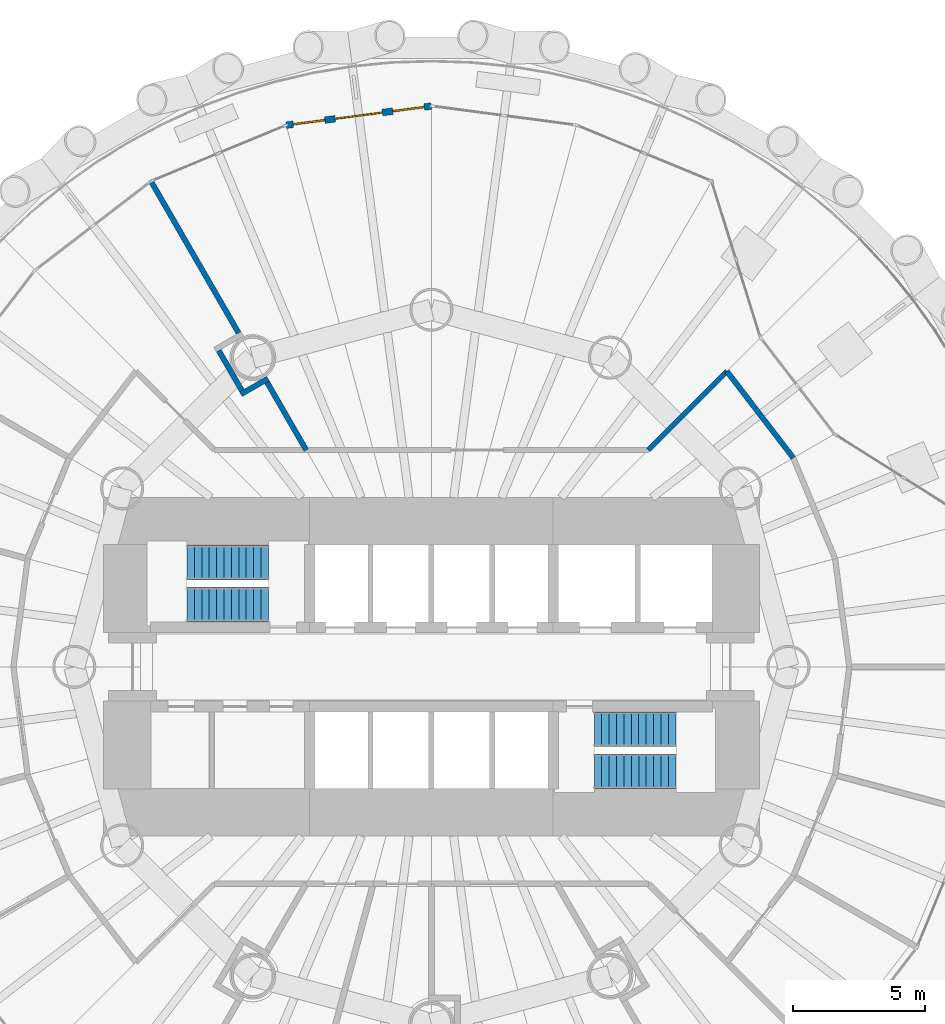
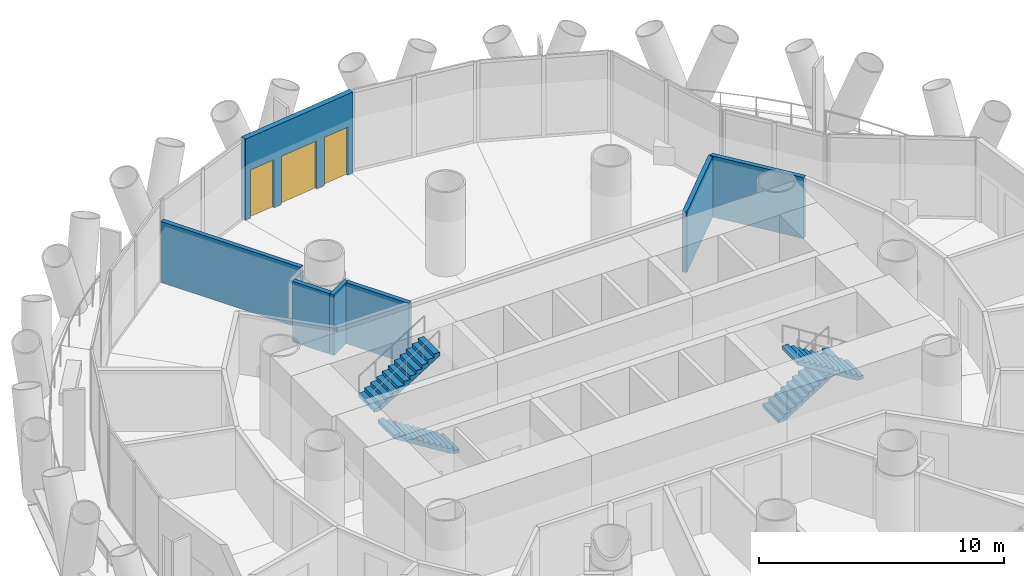
# One storey, part 11 of 15: 7 walls, 4 stair flights, 2 windows, 1 door, 3 openings, 2 elements without a shape of their own.
"""IFC4 building model written with IfcOpenShell, lengths in metres."""

from ifc_helpers import new_model, si_unit, direction, frame, frame_2d, origin, place, context, subcontext, project, spatial, polyline, rectangle, outline, extrude, material, layer, layer_set, type_object, element, fill, aggregate, save


model = new_model("IFC4")

# Units and contexts
model_context = context("Model", 3, precision=1e-05, world=origin(), true_north=direction((0.0, 1.0)))
body_context = subcontext(model_context, "Body", "Model", "MODEL_VIEW")
ifc_project = project(units=[si_unit("LENGTHUNIT", "METRE"), si_unit("AREAUNIT", "SQUARE_METRE"), si_unit("VOLUMEUNIT", "CUBIC_METRE"), si_unit("PLANEANGLEUNIT", "RADIAN"), si_unit("MASSUNIT", "GRAM", prefix="KILO")], contexts=[model_context])

# Site, building, storey
site_placement = place(None, origin())
site = spatial("IfcSite", under=ifc_project, at=site_placement, CompositionType="ELEMENT")
building_placement = place(site_placement, origin())
building = spatial("IfcBuilding", under=site, at=building_placement, Name="Qaws Media Tower", CompositionType="ELEMENT")
storey_placement = place(building_placement, frame((0.0, 0.0, 34.39990234375)))
storey = spatial("IfcBuildingStorey", under=building, at=storey_placement, Name="L06", CompositionType="ELEMENT", Elevation=34.39990234375)

# Wall, openings, door, windows
ifc_material_1 = material(Name="Precast concrete, exposed finish", Category="concrete")
ifc_layer_1 = layer(ifc_material_1, 0.25)
ifc_layer_set_1 = layer_set([ifc_layer_1], Name="Balcony door wall 250")
wall_type_1 = type_object("IfcWallType", Name="Balcony door wall 250", PredefinedType="SOLIDWALL", material=ifc_layer_set_1)
wall_1_placement = place(storey_placement, frame((60.0, 71.199951171875, 0.0), z_axis=(0.0, 0.0, 1.0), x_axis=(-0.991444232742, -0.130530967061, 0.0)))
wall_1 = element("IfcWall", 1, at=wall_1_placement, inside=storey, type_object=wall_type_1, Name="W115 EW1 balcony door wall L06-07", PredefinedType="SOLIDWALL", context=body_context, shape_type="SweptSolid", body=[
    extrude(rectangle(XDim=5.534423828125, YDim=0.25, at=frame_2d((2.76708984375, 0.0))), origin(), (0.0, 0.0, 1.0), 4.0400390625),
])
opening_1_placement = place(wall_1_placement, frame((1.8671875, 0.0, 0.0)))
opening_1 = element("IfcOpeningElement", 2, at=opening_1_placement, cuts=wall_1, Name="Opening D7", PredefinedType="OPENING", context=body_context, shape_type="SweptSolid", body=[
    extrude(rectangle(XDim=1.800048828125, YDim=2.39990234375, at=frame_2d((0.89990234375, 1.199951171875))), frame((0.0, 0.135009765625, 0.0), z_axis=(0.0, -1.0, 0.0), x_axis=(1.0, 0.0, 0.0)), (0.0, 0.0, 1.0), 0.27001953125),
])
opening_2_placement = place(wall_1_placement, frame((0.26708984375, 0.0, 0.0)))
opening_2 = element("IfcOpeningElement", 3, at=opening_2_placement, cuts=wall_1, Name="Opening W1", PredefinedType="OPENING", context=body_context, shape_type="SweptSolid", body=[
    extrude(rectangle(XDim=1.199951171875, YDim=2.39990234375, at=frame_2d((0.60009765625, 1.199951171875))), frame((0.0, 0.135009765625, 0.0), z_axis=(0.0, -1.0, 0.0), x_axis=(1.0, 0.0, 0.0)), (0.0, 0.0, 1.0), 0.27001953125),
])
opening_3_placement = place(wall_1_placement, frame((4.067138671875, 0.0, 0.0)))
opening_3 = element("IfcOpeningElement", 4, at=opening_3_placement, cuts=wall_1, Name="Opening W1", PredefinedType="OPENING", context=body_context, shape_type="SweptSolid", body=[
    extrude(rectangle(XDim=1.199951171875, YDim=2.39990234375, at=frame_2d((0.60009765625, 1.199951171875))), frame((0.0, 0.135009765625, 0.0), z_axis=(0.0, -1.0, 0.0), x_axis=(1.0, 0.0, 0.0)), (0.0, 0.0, 1.0), 0.27001953125),
])
ifc_material_2 = material(Name="Aluminium and clear glass", Category="aluminium")
door_type = type_object("IfcDoorType", Name="Balcony door pair 1800", OperationType="DOUBLE_DOOR_SLIDING", PredefinedType="DOOR", material=ifc_material_2)
door_placement = place(opening_1_placement, origin())
door = element("IfcDoor", 5, at=door_placement, inside=storey, type_object=door_type, Name="D7 balcony door L06-07 in wall W115", OperationType="DOUBLE_DOOR_SLIDING", OverallHeight=2.39990234375, OverallWidth=1.800048828125, PredefinedType="DOOR", context=body_context, shape_type="SweptSolid", body=[
    extrude(rectangle(XDim=1.800048828125, YDim=2.39990234375, at=frame_2d((0.89990234375, 1.199951171875))), frame((0.0, 0.02490234375, 0.0), z_axis=(0.0, -1.0, 0.0), x_axis=(1.0, 0.0, 0.0)), (0.0, 0.0, 1.0), 0.050048828125),
])
fill(opening_1, door)
ifc_material_3 = material(Name="Aluminium and clear glass", Category="aluminium")
window_type = type_object("IfcWindowType", Name="Balcony side window 1200", PartitioningType="SINGLE_PANEL", PredefinedType="WINDOW", material=ifc_material_3)
window_1_placement = place(opening_2_placement, origin())
window_1 = element("IfcWindow", 6, at=window_1_placement, inside=storey, type_object=window_type, Name="W1 balcony side light L06-07L", OverallHeight=2.39990234375, OverallWidth=1.199951171875, PartitioningType="SINGLE_PANEL", PredefinedType="WINDOW", context=body_context, shape_type="SweptSolid", body=[
    extrude(rectangle(XDim=1.199951171875, YDim=2.39990234375, at=frame_2d((0.60009765625, 1.199951171875))), frame((0.0, 0.030029296875, 0.0), z_axis=(0.0, -1.0, 0.0), x_axis=(1.0, 0.0, 0.0)), (0.0, 0.0, 1.0), 0.06005859375),
])
fill(opening_2, window_1)
window_2_placement = place(opening_3_placement, origin())
window_2 = element("IfcWindow", 7, at=window_2_placement, inside=storey, type_object=window_type, Name="W1 balcony side light L06-07R", OverallHeight=2.39990234375, OverallWidth=1.199951171875, PartitioningType="SINGLE_PANEL", PredefinedType="WINDOW", context=body_context, shape_type="SweptSolid", body=[
    extrude(rectangle(XDim=1.199951171875, YDim=2.39990234375, at=frame_2d((0.60009765625, 1.199951171875))), frame((0.0, 0.030029296875, 0.0), z_axis=(0.0, -1.0, 0.0), x_axis=(1.0, 0.0, 0.0)), (0.0, 0.0, 1.0), 0.06005859375),
])
fill(opening_3, window_2)

# Walls
ifc_material_4 = material(Name="Gypsum board on galvanised metal studs, acoustic double stud, deflection head", Category="gypsum")
ifc_layer_2 = layer(ifc_material_4, 0.199951171875)
ifc_layer_set_2 = layer_set([ifc_layer_2], Name="Room partition 200")
wall_type_2 = type_object("IfcWallType", Name="Room partition 200", PredefinedType="PARTITIONING", material=ifc_layer_set_2)
wall_2_placement = place(storey_placement, frame((68.199951171875, 58.199951171875, 0.0), z_axis=(0.0, 0.0, 1.0), x_axis=(0.707106781187, 0.707106781187, 0.0)))
element("IfcWall", 8, at=wall_2_placement, inside=storey, type_object=wall_type_2, Name="W975 IW3 partition L06", PredefinedType="PARTITIONING", context=body_context, shape_type="SweptSolid", body=[
    extrude(rectangle(XDim=4.20361328125, YDim=0.199951171875, at=frame_2d((2.101806640625, 0.0))), origin(), (0.0, 0.0, 1.0), 3.02001953125),
])
wall_3_placement = place(storey_placement, frame((71.17236328125, 61.17236328125, 0.0), z_axis=(0.0, 0.0, 1.0), x_axis=(0.608714823874, -0.793389099494, 0.0)))
element("IfcWall", 9, at=wall_3_placement, inside=storey, type_object=wall_type_2, Name="W953 IW3 partition L06", PredefinedType="PARTITIONING", context=body_context, shape_type="SweptSolid", body=[
    extrude(rectangle(XDim=4.124755859375, YDim=0.199951171875, at=frame_2d((2.0625, 0.0))), origin(), (0.0, 0.0, 1.0), 3.0400390625),
])
wall_4_placement = place(storey_placement, frame((53.822998046875, 60.898681640625, 0.0), z_axis=(0.0, 0.0, 1.0), x_axis=(-0.865986234303, -0.500067837396, 0.0)))
element("IfcWall", 10, at=wall_4_placement, inside=storey, type_object=wall_type_2, Name="W967 IW3 partition return L06", PredefinedType="PARTITIONING", context=body_context, shape_type="SweptSolid", body=[
    extrude(rectangle(XDim=1.182861328125, YDim=0.199951171875, at=frame_2d((0.59130859375, 0.0))), origin(), (0.0, 0.0, 1.0), 3.02001953125),
])
wall_5_placement = place(storey_placement, frame((52.835205078125, 60.44384765625, 0.0), z_axis=(0.0, 0.0, 1.0), x_axis=(-0.500049268192, 0.865996956912, 0.0)))
element("IfcWall", 11, at=wall_5_placement, inside=storey, type_object=wall_type_2, Name="W965 IW3 partition return L06", PredefinedType="PARTITIONING", context=body_context, shape_type="SweptSolid", body=[
    extrude(rectangle(XDim=1.745849609375, YDim=0.199951171875, at=frame_2d((0.873046875, 0.0))), origin(), (0.0, 0.0, 1.0), 3.02001953125),
])
wall_6_placement = place(storey_placement, frame((55.27001953125, 58.192626953125, 0.0), z_axis=(0.0, 0.0, 1.0), x_axis=(-0.499962256537, 0.866047193886, 0.0)))
element("IfcWall", 12, at=wall_6_placement, inside=storey, type_object=wall_type_2, Name="W970 IW3 partition L06", PredefinedType="PARTITIONING", context=body_context, shape_type="SweptSolid", body=[
    extrude(rectangle(XDim=2.967041015625, YDim=0.199951171875, at=frame_2d((1.4833984375, 0.0))), origin(), (0.0, 0.0, 1.0), 3.0400390625),
])
wall_7_placement = place(storey_placement, frame((52.71337890625, 62.62060546875, 0.0), z_axis=(0.0, 0.0, 1.0), x_axis=(-0.499989815132, 0.866031283941, 0.0)))
element("IfcWall", 13, at=wall_7_placement, inside=storey, type_object=wall_type_2, Name="W978 IW3 partition L06", PredefinedType="PARTITIONING", context=body_context, shape_type="SweptSolid", body=[
    extrude(rectangle(XDim=6.587158203125, YDim=0.199951171875, at=frame_2d((3.29345703125, 0.0))), origin(), (0.0, 0.0, 1.0), 3.0400390625),
])

# Stair, stair flights
ifc_material_5 = material(Name="Concrete C40/50", Category="concrete")
stair_type = type_object("IfcStairType", Name="Exit stair", PredefinedType="HALF_TURN_STAIR", material=ifc_material_5)
stair_1_placement = place(storey_placement, origin())
stair_1 = element("IfcStair", 14, at=stair_1_placement, inside=storey, type_object=stair_type, Name="S1 exit stair L06", PredefinedType="HALF_TURN_STAIR")
ifc_material_6 = material(Name="Concrete C40/50", Category="concrete")
stair_flight_type = type_object("IfcStairFlightType", Name="Stair flight 1310", PredefinedType="STRAIGHT", material=ifc_material_6)
stair_flight_1_placement = place(storey_placement, frame((53.840087890625, 52.35498046875, 0.0), z_axis=(0.0, 0.0, 1.0), x_axis=(-1.0, 0.0, 0.0)))
stair_flight_1 = element("IfcStairFlight", 15, at=stair_flight_1_placement, type_object=stair_flight_type, Name="S1 flight 1", NumberOfRisers=12, NumberOfTreads=11, PredefinedType="STRAIGHT", RiserHeight=0.175, TreadLength=0.28, context=body_context, shape_type="SweptSolid", body=[
    extrude(outline(polyline([(0.0, 0.0), (0.0, 0.175048828125), (0.280029296875, 0.175048828125), (0.280029296875, 0.35009765625), (0.56005859375, 0.35009765625), (0.56005859375, 0.52490234375), (0.840087890625, 0.52490234375), (0.840087890625, 0.699951171875), (1.1201171875, 0.699951171875), (1.1201171875, 0.875), (1.39990234375, 0.875), (1.39990234375, 1.050048828125), (1.679931640625, 1.050048828125), (1.679931640625, 1.22509765625), (1.9599609375, 1.22509765625), (1.9599609375, 1.39990234375), (2.239990234375, 1.39990234375), (2.239990234375, 1.574951171875), (2.52001953125, 1.574951171875), (2.52001953125, 1.75), (2.800048828125, 1.75), (2.800048828125, 1.925048828125), (3.080078125, 1.925048828125), (3.080078125, 2.10009765625), (3.080078125, 1.748291015625), (0.28271484375, 0.0), (0.0, 0.0)])), frame((0.0, 0.655029296875, 0.0), z_axis=(0.0, -1.0, 0.0), x_axis=(1.0, 0.0, 0.0)), (0.0, 0.0, 1.0), 1.31005859375),
])
stair_flight_2_placement = place(storey_placement, frame((50.760009765625, 53.945068359375, 2.10009765625), z_axis=(0.0, 0.0, 1.0), x_axis=(1.0, 0.0, 0.0)))
stair_flight_2 = element("IfcStairFlight", 16, at=stair_flight_2_placement, type_object=stair_flight_type, Name="S1 flight 2", NumberOfRisers=12, NumberOfTreads=11, PredefinedType="STRAIGHT", RiserHeight=0.175, TreadLength=0.28, context=body_context, shape_type="SweptSolid", body=[
    extrude(outline(polyline([(0.0, 0.0), (0.0, 0.175048828125), (0.280029296875, 0.175048828125), (0.280029296875, 0.35009765625), (0.56005859375, 0.35009765625), (0.56005859375, 0.52490234375), (0.840087890625, 0.52490234375), (0.840087890625, 0.699951171875), (1.1201171875, 0.699951171875), (1.1201171875, 0.875), (1.39990234375, 0.875), (1.39990234375, 1.050048828125), (1.679931640625, 1.050048828125), (1.679931640625, 1.22509765625), (1.9599609375, 1.22509765625), (1.9599609375, 1.39990234375), (2.239990234375, 1.39990234375), (2.239990234375, 1.574951171875), (2.52001953125, 1.574951171875), (2.52001953125, 1.75), (2.800048828125, 1.75), (2.800048828125, 1.925048828125), (3.080078125, 1.925048828125), (3.080078125, 2.10009765625), (3.080078125, 1.748291015625), (0.28271484375, 0.0), (0.0, 0.0)])), frame((0.0, 0.655029296875, 0.0), z_axis=(0.0, -1.0, 0.0), x_axis=(1.0, 0.0, 0.0)), (0.0, 0.0, 1.0), 1.31005859375),
])
aggregate(stair_1, [stair_flight_1, stair_flight_2])

stair_2_placement = place(storey_placement, origin())
stair_2 = element("IfcStair", 17, at=stair_2_placement, inside=storey, type_object=stair_type, Name="S2 exit stair L06", PredefinedType="HALF_TURN_STAIR")
stair_flight_3_placement = place(storey_placement, frame((66.159912109375, 47.64501953125, 0.0), z_axis=(0.0, 0.0, 1.0), x_axis=(1.0, 0.0, 0.0)))
stair_flight_3 = element("IfcStairFlight", 18, at=stair_flight_3_placement, type_object=stair_flight_type, Name="S2 flight 1", NumberOfRisers=12, NumberOfTreads=11, PredefinedType="STRAIGHT", RiserHeight=0.175, TreadLength=0.28, context=body_context, shape_type="SweptSolid", body=[
    extrude(outline(polyline([(0.0, 0.0), (0.0, 0.175048828125), (0.280029296875, 0.175048828125), (0.280029296875, 0.35009765625), (0.56005859375, 0.35009765625), (0.56005859375, 0.52490234375), (0.840087890625, 0.52490234375), (0.840087890625, 0.699951171875), (1.1201171875, 0.699951171875), (1.1201171875, 0.875), (1.39990234375, 0.875), (1.39990234375, 1.050048828125), (1.679931640625, 1.050048828125), (1.679931640625, 1.22509765625), (1.9599609375, 1.22509765625), (1.9599609375, 1.39990234375), (2.239990234375, 1.39990234375), (2.239990234375, 1.574951171875), (2.52001953125, 1.574951171875), (2.52001953125, 1.75), (2.800048828125, 1.75), (2.800048828125, 1.925048828125), (3.080078125, 1.925048828125), (3.080078125, 2.10009765625), (3.080078125, 1.748291015625), (0.28271484375, 0.0), (0.0, 0.0)])), frame((0.0, 0.655029296875, 0.0), z_axis=(0.0, -1.0, 0.0), x_axis=(1.0, 0.0, 0.0)), (0.0, 0.0, 1.0), 1.31005859375),
])
stair_flight_4_placement = place(storey_placement, frame((69.239990234375, 46.054931640625, 2.10009765625), z_axis=(0.0, 0.0, 1.0), x_axis=(-1.0, 0.0, 0.0)))
stair_flight_4 = element("IfcStairFlight", 19, at=stair_flight_4_placement, type_object=stair_flight_type, Name="S2 flight 2", NumberOfRisers=12, NumberOfTreads=11, PredefinedType="STRAIGHT", RiserHeight=0.175, TreadLength=0.28, context=body_context, shape_type="SweptSolid", body=[
    extrude(outline(polyline([(0.0, 0.0), (0.0, 0.175048828125), (0.280029296875, 0.175048828125), (0.280029296875, 0.35009765625), (0.56005859375, 0.35009765625), (0.56005859375, 0.52490234375), (0.840087890625, 0.52490234375), (0.840087890625, 0.699951171875), (1.1201171875, 0.699951171875), (1.1201171875, 0.875), (1.39990234375, 0.875), (1.39990234375, 1.050048828125), (1.679931640625, 1.050048828125), (1.679931640625, 1.22509765625), (1.9599609375, 1.22509765625), (1.9599609375, 1.39990234375), (2.239990234375, 1.39990234375), (2.239990234375, 1.574951171875), (2.52001953125, 1.574951171875), (2.52001953125, 1.75), (2.800048828125, 1.75), (2.800048828125, 1.925048828125), (3.080078125, 1.925048828125), (3.080078125, 2.10009765625), (3.080078125, 1.748291015625), (0.28271484375, 0.0), (0.0, 0.0)])), frame((0.0, 0.655029296875, 0.0), z_axis=(0.0, -1.0, 0.0), x_axis=(1.0, 0.0, 0.0)), (0.0, 0.0, 1.0), 1.31005859375),
])
aggregate(stair_2, [stair_flight_3, stair_flight_4])

save(model, "model.ifc")
